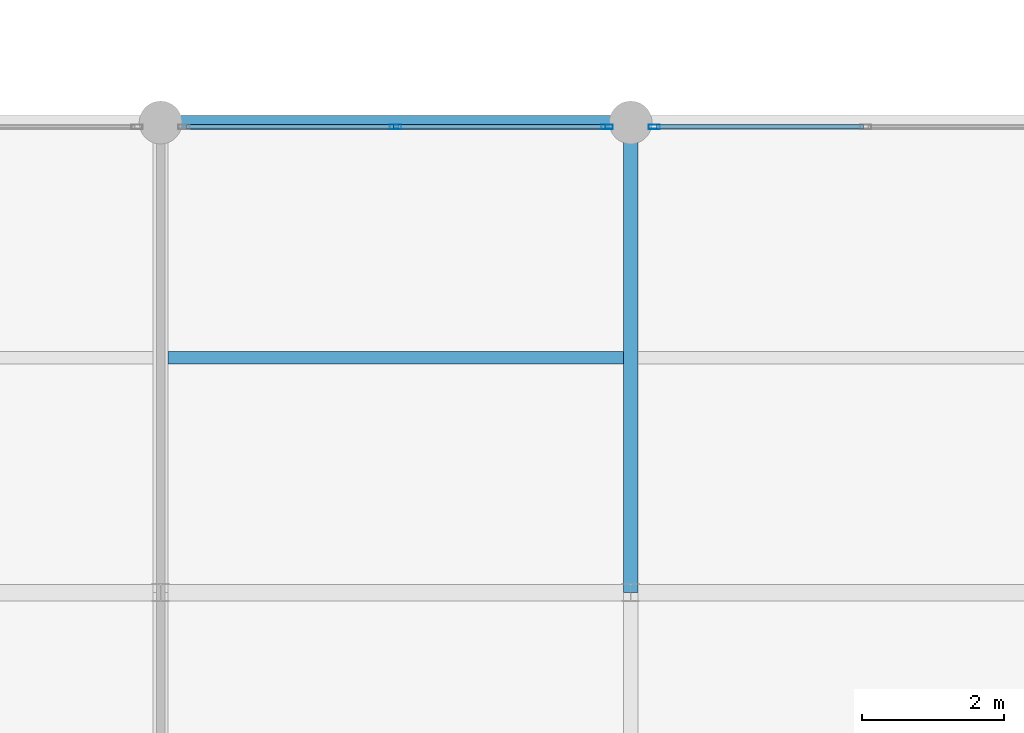
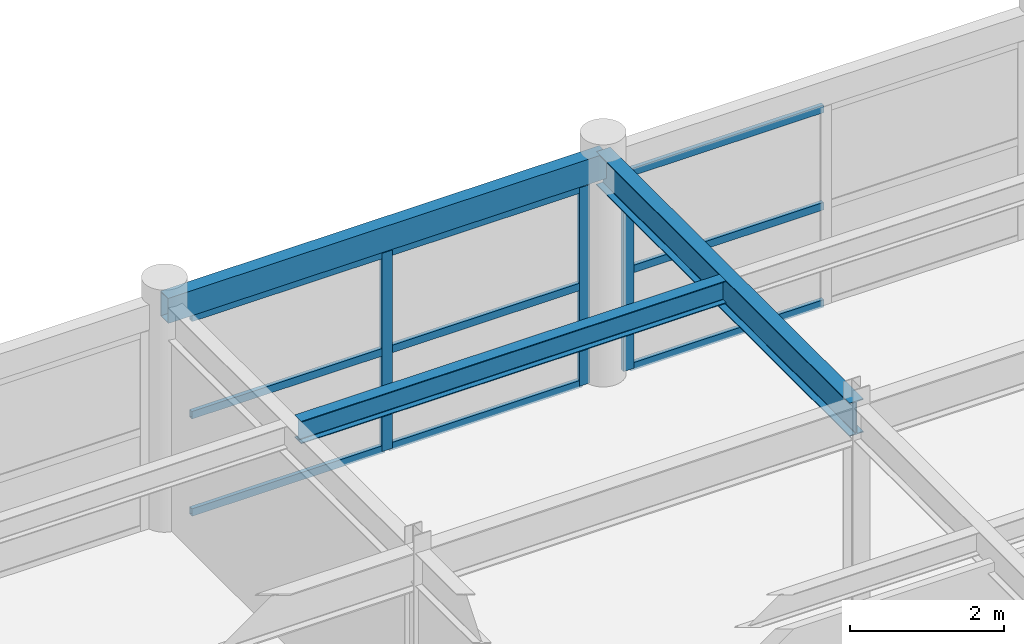
# One storey, part 10 of 28: 12 members, 3 beams, 2 elements without a shape of their own.
"""IFC4 building model written with IfcOpenShell, lengths in metres."""

from ifc_helpers import new_model, si_unit, direction, frame, origin, origin_2d, place, context, subcontext, project, spatial, hollow_rectangle, i_section, extrude, material, material_profile, profile_set, type_object, element, aggregate, save


model = new_model("IFC4")

# Units and contexts
model_context = context("Model", 3, precision=1e-05, world=origin(), true_north=direction((0.0, 1.0)))
body_context = subcontext(model_context, "Body", "Model", "MODEL_VIEW")
ifc_project = project(units=[si_unit("LENGTHUNIT", "METRE"), si_unit("AREAUNIT", "SQUARE_METRE"), si_unit("VOLUMEUNIT", "CUBIC_METRE"), si_unit("PLANEANGLEUNIT", "RADIAN"), si_unit("MASSUNIT", "GRAM", prefix="KILO")], contexts=[model_context])

# Site, building, storey
site_placement = place(None, origin())
site = spatial("IfcSite", under=ifc_project, at=site_placement, CompositionType="ELEMENT")
building_placement = place(site_placement, origin())
building = spatial("IfcBuilding", under=site, at=building_placement, Name="Karori Crest Natural Sciences Institute", CompositionType="ELEMENT")
storey_placement = place(building_placement, frame((0.0, 0.0, 34.300048828125)))
storey = spatial("IfcBuildingStorey", under=building, at=storey_placement, Name="L08", CompositionType="ELEMENT", Elevation=34.300048828125)

# Beams
ifc_material_1 = material(Name="Structural steel AS/NZS 3679.1 Grade 350", Category="steel")
ifc_material_profile_1 = material_profile(ifc_material_1, i_section(OverallWidth=0.208984375, OverallDepth=0.532958984375, WebThickness=0.01025390625, FlangeThickness=0.015625, FilletRadius=0.013916015625, at=origin_2d()), Name="530UB92.4")
ifc_profile_set_1 = profile_set([ifc_material_profile_1], Name="Structural steel AS/NZS 3679.1 Grade 350")
beam_type_1 = type_object("IfcBeamType", Name="BT-05", PredefinedType="BEAM", material=ifc_profile_set_1)
beam_1_placement = place(storey_placement, frame((136.60009765625, 14.0, 3.303466796875), z_axis=(0.0, 1.0, 0.0), x_axis=(-1.0, 0.0, 0.0)))
element("IfcBeam", 1, at=beam_1_placement, inside=storey, type_object=beam_type_1, Name="Beam B-2738", PredefinedType="BEAM", context=body_context, shape_type="SweptSolid", body=[
    extrude(i_section(OverallWidth=0.208984375, OverallDepth=0.532958984375, WebThickness=0.01025390625, FlangeThickness=0.015625, FilletRadius=0.013916015625, at=origin_2d()), origin(), (0.0, 0.0, 1.0), 6.60009765625),
])
ifc_material_profile_2 = material_profile(ifc_material_1, i_section(OverallWidth=0.172119140625, OverallDepth=0.35888671875, WebThickness=0.008056640625, FlangeThickness=0.012939453125, FilletRadius=0.010986328125, at=origin_2d()), Name="360UB56.7")
ifc_profile_set_2 = profile_set([ifc_material_profile_2], Name="Structural steel AS/NZS 3679.1 Grade 350")
beam_type_2 = type_object("IfcBeamType", Name="BT-08", PredefinedType="BEAM", material=ifc_profile_set_2)
beam_2_placement = place(storey_placement, frame((130.1044921875, 17.300048828125, 3.390380859375), z_axis=(1.0, 0.0, 0.0), x_axis=(0.0, 1.0, 0.0)))
element("IfcBeam", 2, at=beam_2_placement, inside=storey, type_object=beam_type_2, Name="Beam B-2755", PredefinedType="BEAM", context=body_context, shape_type="SweptSolid", body=[
    extrude(i_section(OverallWidth=0.172119140625, OverallDepth=0.35888671875, WebThickness=0.008056640625, FlangeThickness=0.012939453125, FilletRadius=0.010986328125, at=origin_2d()), origin(), (0.0, 0.0, 1.0), 6.39111328125),
])
ifc_material_2 = material(Name="Hollow structural steel AS/NZS 1163 Grade C350", Category="steel")
ifc_material_profile_3 = material_profile(ifc_material_2, hollow_rectangle(XDim=0.199951171875, YDim=0.39990234375, WallThickness=0.012451171875, at=origin_2d()), Name="RHS400x200x12.5")
ifc_profile_set_3 = profile_set([ifc_material_profile_3], Name="Hollow structural steel AS/NZS 1163 Grade C350")
beam_type_3 = type_object("IfcBeamType", Name="BT-14", PredefinedType="SPANDREL", material=ifc_profile_set_3)
beam_3_placement = place(storey_placement, frame((130.0, 20.60009765625, 3.369873046875), z_axis=(1.0, 0.0, 0.0), x_axis=(0.0, 1.0, 0.0)))
element("IfcBeam", 3, at=beam_3_placement, inside=storey, type_object=beam_type_3, Name="Beam B-2718", PredefinedType="SPANDREL", context=body_context, shape_type="SweptSolid", body=[
    extrude(hollow_rectangle(XDim=0.199951171875, YDim=0.39990234375, WallThickness=0.012451171875, at=origin_2d()), origin(), (0.0, 0.0, 1.0), 6.60009765625),
])

# Curtain wall, members
ifc_material_3 = material(Name="Anodised architectural aluminium 6063-T6", Category="aluminium")
curtain_wall_type = type_object("IfcCurtainWallType", Name="CWT-20", PredefinedType="NOTDEFINED", material=ifc_material_3)
curtain_wall_1_placement = place(storey_placement, origin())
curtain_wall_1 = element("IfcCurtainWall", 4, at=curtain_wall_1_placement, inside=storey, type_object=curtain_wall_type, Name="Curtain wall CW-0369", PredefinedType="NOTDEFINED")
ifc_material_profile_4 = material_profile(ifc_material_3, hollow_rectangle(XDim=0.06494140625, YDim=0.159912109375, WallThickness=0.00390625, at=origin_2d()), Name="CWM160x65x4")
ifc_profile_set_4 = profile_set([ifc_material_profile_4], Name="Anodised architectural aluminium 6063-T6")
member_type_1 = type_object("IfcMemberType", Name="CWM-01", PredefinedType="MULLION", material=ifc_profile_set_4)
member_1_placement = place(storey_placement, frame((133.300048828125, 20.5400390625, 0.0), z_axis=(0.0, 0.0, 1.0), x_axis=(0.0, 1.0, 0.0)))
member_1 = element("IfcMember", 5, at=member_1_placement, type_object=member_type_1, Name="CW-0369 mullion 2", PredefinedType="MULLION", context=body_context, shape_type="SweptSolid", body=[
    extrude(hollow_rectangle(XDim=0.06494140625, YDim=0.159912109375, WallThickness=0.00390625, at=origin_2d()), origin(), (0.0, 0.0, 1.0), 3.155029296875),
])
member_2_placement = place(storey_placement, frame((136.26953125, 20.5400390625, 0.0), z_axis=(0.0, 0.0, 1.0), x_axis=(0.0, 1.0, 0.0)))
member_2 = element("IfcMember", 6, at=member_2_placement, type_object=member_type_1, Name="CW-0369 mullion 3", PredefinedType="MULLION", context=body_context, shape_type="SweptSolid", body=[
    extrude(hollow_rectangle(XDim=0.06494140625, YDim=0.159912109375, WallThickness=0.00390625, at=origin_2d()), origin(), (0.0, 0.0, 1.0), 3.155029296875),
])

# Curtain wall, member
curtain_wall_2_placement = place(storey_placement, origin())
curtain_wall_2 = element("IfcCurtainWall", 7, at=curtain_wall_2_placement, inside=storey, type_object=curtain_wall_type, Name="Curtain wall CW-0370", PredefinedType="NOTDEFINED")
member_3_placement = place(storey_placement, frame((136.930419921875, 20.5400390625, 0.0), z_axis=(0.0, 0.0, 1.0), x_axis=(0.0, 1.0, 0.0)))
member_3 = element("IfcMember", 8, at=member_3_placement, type_object=member_type_1, Name="CW-0370 mullion 1", PredefinedType="MULLION", context=body_context, shape_type="SweptSolid", body=[
    extrude(hollow_rectangle(XDim=0.06494140625, YDim=0.159912109375, WallThickness=0.00390625, at=origin_2d()), origin(), (0.0, 0.0, 1.0), 3.155029296875),
])

# Member
ifc_material_profile_5 = material_profile(ifc_material_3, hollow_rectangle(XDim=0.06005859375, YDim=0.1201171875, WallThickness=0.00390625, at=origin_2d()), Name="CWT120x60x4")
ifc_profile_set_5 = profile_set([ifc_material_profile_5], Name="Anodised architectural aluminium 6063-T6")
member_type_2 = type_object("IfcMemberType", Name="CWT-TR1", PredefinedType="USERDEFINED", material=ifc_profile_set_5)
member_4_placement = place(storey_placement, frame((130.363037109375, 20.5400390625, 0.030029296875), z_axis=(1.0, 0.0, 0.0), x_axis=(0.0, 1.0, 0.0)))
member_4 = element("IfcMember", 9, at=member_4_placement, type_object=member_type_2, Name="CW-0369 transom 1.1", ObjectType="TRANSOM", PredefinedType="USERDEFINED", context=body_context, shape_type="SweptSolid", body=[
    extrude(hollow_rectangle(XDim=0.06005859375, YDim=0.1201171875, WallThickness=0.00390625, at=origin_2d()), origin(), (0.0, 0.0, 1.0), 2.904541015625),
])

member_5_placement = place(storey_placement, frame((130.363037109375, 20.5400390625, 1.577392578125), z_axis=(1.0, 0.0, 0.0), x_axis=(0.0, 1.0, 0.0)))
member_5 = element("IfcMember", 10, at=member_5_placement, type_object=member_type_2, Name="CW-0369 transom 1.2", ObjectType="TRANSOM", PredefinedType="USERDEFINED", context=body_context, shape_type="SweptSolid", body=[
    extrude(hollow_rectangle(XDim=0.06005859375, YDim=0.1201171875, WallThickness=0.00390625, at=origin_2d()), origin(), (0.0, 0.0, 1.0), 2.904541015625),
])

member_6_placement = place(storey_placement, frame((130.363037109375, 20.5400390625, 3.125), z_axis=(1.0, 0.0, 0.0), x_axis=(0.0, 1.0, 0.0)))
member_6 = element("IfcMember", 11, at=member_6_placement, type_object=member_type_2, Name="CW-0369 transom 1.3", ObjectType="TRANSOM", PredefinedType="USERDEFINED", context=body_context, shape_type="SweptSolid", body=[
    extrude(hollow_rectangle(XDim=0.06005859375, YDim=0.1201171875, WallThickness=0.00390625, at=origin_2d()), origin(), (0.0, 0.0, 1.0), 2.904541015625),
])

member_7_placement = place(storey_placement, frame((133.33251953125, 20.5400390625, 0.030029296875), z_axis=(1.0, 0.0, 0.0), x_axis=(0.0, 1.0, 0.0)))
member_7 = element("IfcMember", 12, at=member_7_placement, type_object=member_type_2, Name="CW-0369 transom 2.1", ObjectType="TRANSOM", PredefinedType="USERDEFINED", context=body_context, shape_type="SweptSolid", body=[
    extrude(hollow_rectangle(XDim=0.06005859375, YDim=0.1201171875, WallThickness=0.00390625, at=origin_2d()), origin(), (0.0, 0.0, 1.0), 2.904541015625),
])

member_8_placement = place(storey_placement, frame((133.33251953125, 20.5400390625, 1.577392578125), z_axis=(1.0, 0.0, 0.0), x_axis=(0.0, 1.0, 0.0)))
member_8 = element("IfcMember", 13, at=member_8_placement, type_object=member_type_2, Name="CW-0369 transom 2.2", ObjectType="TRANSOM", PredefinedType="USERDEFINED", context=body_context, shape_type="SweptSolid", body=[
    extrude(hollow_rectangle(XDim=0.06005859375, YDim=0.1201171875, WallThickness=0.00390625, at=origin_2d()), origin(), (0.0, 0.0, 1.0), 2.904541015625),
])

member_9_placement = place(storey_placement, frame((133.33251953125, 20.5400390625, 3.125), z_axis=(1.0, 0.0, 0.0), x_axis=(0.0, 1.0, 0.0)))
member_9 = element("IfcMember", 14, at=member_9_placement, type_object=member_type_2, Name="CW-0369 transom 2.3", ObjectType="TRANSOM", PredefinedType="USERDEFINED", context=body_context, shape_type="SweptSolid", body=[
    extrude(hollow_rectangle(XDim=0.06005859375, YDim=0.1201171875, WallThickness=0.00390625, at=origin_2d()), origin(), (0.0, 0.0, 1.0), 2.904541015625),
])

aggregate(curtain_wall_1, [member_1, member_2, member_4, member_5, member_6, member_7, member_8, member_9])

member_10_placement = place(storey_placement, frame((136.962890625, 20.5400390625, 0.030029296875), z_axis=(1.0, 0.0, 0.0), x_axis=(0.0, 1.0, 0.0)))
member_10 = element("IfcMember", 15, at=member_10_placement, type_object=member_type_2, Name="CW-0370 transom 1.1", ObjectType="TRANSOM", PredefinedType="USERDEFINED", context=body_context, shape_type="SweptSolid", body=[
    extrude(hollow_rectangle(XDim=0.06005859375, YDim=0.1201171875, WallThickness=0.00390625, at=origin_2d()), origin(), (0.0, 0.0, 1.0), 2.904541015625),
])

member_11_placement = place(storey_placement, frame((136.962890625, 20.5400390625, 1.577392578125), z_axis=(1.0, 0.0, 0.0), x_axis=(0.0, 1.0, 0.0)))
member_11 = element("IfcMember", 16, at=member_11_placement, type_object=member_type_2, Name="CW-0370 transom 1.2", ObjectType="TRANSOM", PredefinedType="USERDEFINED", context=body_context, shape_type="SweptSolid", body=[
    extrude(hollow_rectangle(XDim=0.06005859375, YDim=0.1201171875, WallThickness=0.00390625, at=origin_2d()), origin(), (0.0, 0.0, 1.0), 2.904541015625),
])

member_12_placement = place(storey_placement, frame((136.962890625, 20.5400390625, 3.125), z_axis=(1.0, 0.0, 0.0), x_axis=(0.0, 1.0, 0.0)))
member_12 = element("IfcMember", 17, at=member_12_placement, type_object=member_type_2, Name="CW-0370 transom 1.3", ObjectType="TRANSOM", PredefinedType="USERDEFINED", context=body_context, shape_type="SweptSolid", body=[
    extrude(hollow_rectangle(XDim=0.06005859375, YDim=0.1201171875, WallThickness=0.00390625, at=origin_2d()), origin(), (0.0, 0.0, 1.0), 2.904541015625),
])

aggregate(curtain_wall_2, [member_3, member_10, member_11, member_12])

save(model, "model.ifc")
